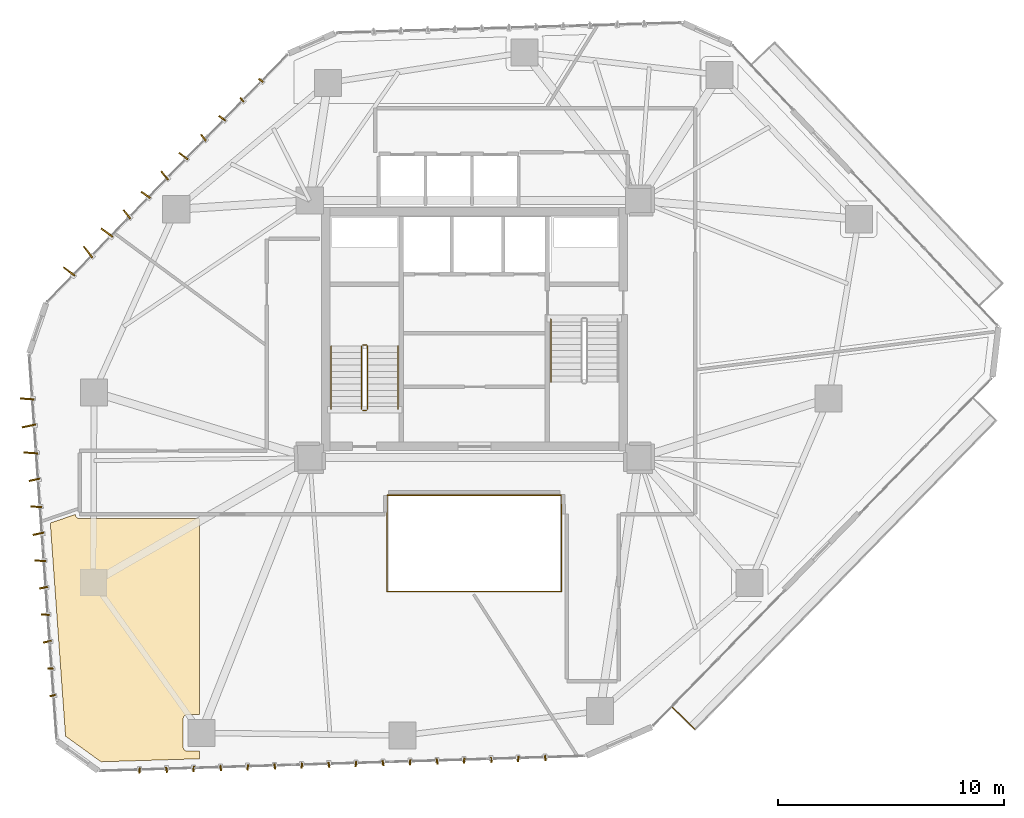
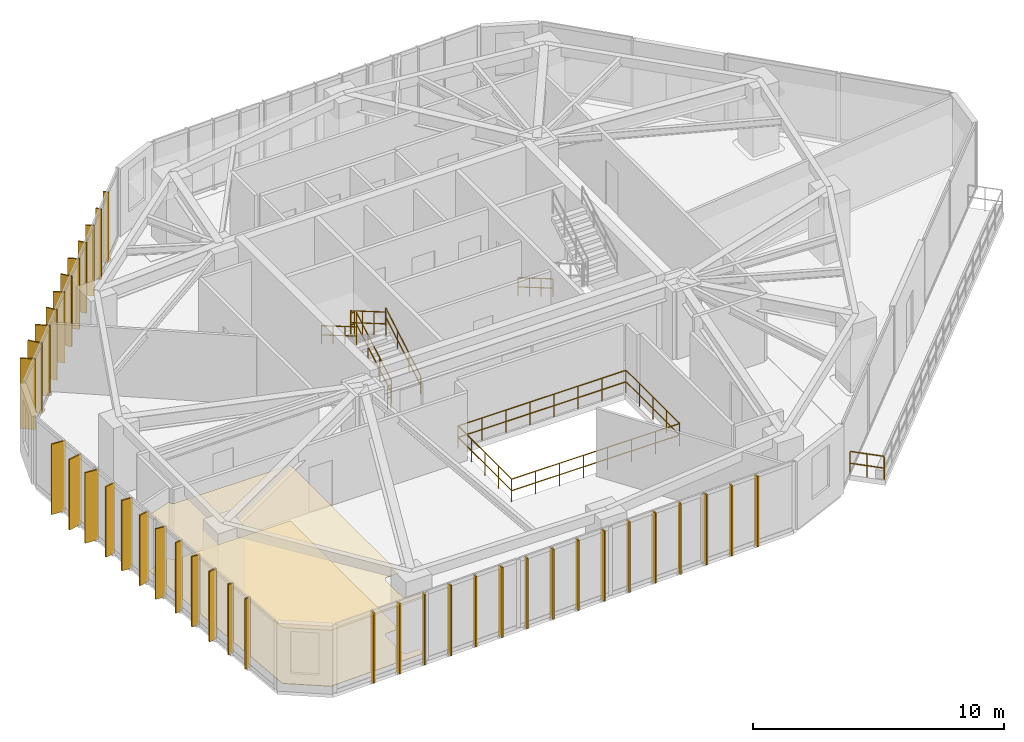
# One storey, part 21 of 23: 39 shading devices, 12 railings, 2 coverings.
"""IFC4 building model written with IfcOpenShell, lengths in metres."""

from ifc_helpers import new_model, si_unit, direction, frame, origin, origin_2d, place, context, subcontext, project, spatial, polyline, rectangle, circle, outline, extrude, source, transform, mapped, material, layer, layer_set, type_object, type_shapes, element, save


model = new_model("IFC4")

# Units and contexts
model_context = context("Model", 3, precision=1e-05, world=origin(), true_north=direction((0.0, 1.0)))
body_context = subcontext(model_context, "Body", "Model", "MODEL_VIEW")
ifc_project = project(units=[si_unit("LENGTHUNIT", "METRE"), si_unit("AREAUNIT", "SQUARE_METRE"), si_unit("VOLUMEUNIT", "CUBIC_METRE"), si_unit("PLANEANGLEUNIT", "RADIAN"), si_unit("MASSUNIT", "GRAM", prefix="KILO")], contexts=[model_context])

# Site, building, storey
site_placement = place(None, origin())
site = spatial("IfcSite", under=ifc_project, at=site_placement, CompositionType="ELEMENT")
building_placement = place(site_placement, origin())
building = spatial("IfcBuilding", under=site, at=building_placement, Name="Talar Marvaseh", CompositionType="ELEMENT")
storey_placement = place(building_placement, frame((0.0, 0.0, 96.60009765625)))
storey = spatial("IfcBuildingStorey", under=building, at=storey_placement, Name="L24", CompositionType="ELEMENT", Elevation=96.60009765625)

# Railings
ifc_material_1 = material(Name="Stainless Steel Grade 316", Category="steel")
railing_type_1 = type_object("IfcRailingType", Name="Brushed Stainless Wall Pitch Handrail 900", PredefinedType="HANDRAIL", material=ifc_material_1)
railing_1_placement = place(storey_placement, frame((22.610107421875, 27.64990234375, 0.16357421875)))
element("IfcRailing", 1, at=railing_1_placement, inside=storey, type_object=railing_type_1, Name="L24 ST-1 stair handrail 1", PredefinedType="HANDRAIL", context=body_context, shape_type="SweptSolid", body=[
    extrude(circle(Radius=0.02392578125, at=origin_2d()), frame((0.0, 0.0, 0.8759765625), z_axis=(0.0, 0.863393664356, 0.504530851732), x_axis=(-1.0, 0.0, 0.0)), (0.0, 0.0, 1.0), 3.2431640625),
    extrude(circle(Radius=0.02392578125, at=origin_2d()), frame((0.0, 0.0, 0.42578125), z_axis=(0.0, 0.863393664356, 0.504530851732), x_axis=(-1.0, 0.0, 0.0)), (0.0, 0.0, 1.0), 3.2431640625),
    extrude(circle(Radius=0.02099609375, at=origin_2d()), origin(), (0.0, 0.0, 1.0), 0.851806640625),
    extrude(circle(Radius=0.02099609375, at=origin_2d()), frame((0.0, 0.933349609375, 0.54541015625)), (0.0, 0.0, 1.0), 0.851806640625),
    extrude(circle(Radius=0.02099609375, at=origin_2d()), frame((0.0, 1.86669921875, 1.0908203125)), (0.0, 0.0, 1.0), 0.851806640625),
    extrude(circle(Radius=0.02099609375, at=origin_2d()), frame((0.0, 2.800048828125, 1.63623046875)), (0.0, 0.0, 1.0), 0.851806640625),
])
railing_2_placement = place(storey_placement, frame((19.64990234375, 30.449951171875, 1.963623046875)))
element("IfcRailing", 2, at=railing_2_placement, inside=storey, type_object=railing_type_1, Name="L24 ST-1 stair handrail 2", PredefinedType="HANDRAIL", context=body_context, shape_type="SweptSolid", body=[
    extrude(circle(Radius=0.02392578125, at=origin_2d()), frame((0.0, 0.0, 0.8759765625), z_axis=(0.0, -0.863393664356, 0.504530851732), x_axis=(1.0, 0.0, 0.0)), (0.0, 0.0, 1.0), 3.2431640625),
    extrude(circle(Radius=0.02392578125, at=origin_2d()), frame((0.0, 0.0, 0.42578125), z_axis=(0.0, -0.863393664356, 0.504530851732), x_axis=(1.0, 0.0, 0.0)), (0.0, 0.0, 1.0), 3.2431640625),
    extrude(circle(Radius=0.02099609375, at=origin_2d()), origin(), (0.0, 0.0, 1.0), 0.851806640625),
    extrude(circle(Radius=0.02099609375, at=origin_2d()), frame((0.0, -0.933349609375, 0.54541015625)), (0.0, 0.0, 1.0), 0.851806640625),
    extrude(circle(Radius=0.02099609375, at=origin_2d()), frame((0.0, -1.86669921875, 1.0908203125)), (0.0, 0.0, 1.0), 0.851806640625),
    extrude(circle(Radius=0.02099609375, at=origin_2d()), frame((0.0, -2.800048828125, 1.63623046875)), (0.0, 0.0, 1.0), 0.851806640625),
])
railing_3_placement = place(storey_placement, frame((29.389892578125, 31.64990234375, 0.16357421875)))
element("IfcRailing", 3, at=railing_3_placement, inside=storey, type_object=railing_type_1, Name="L24 ST-2 stair handrail 1", PredefinedType="HANDRAIL", context=body_context, shape_type="SweptSolid", body=[
    extrude(circle(Radius=0.02392578125, at=origin_2d()), frame((0.0, 0.0, 0.8759765625), z_axis=(0.0, -0.863374499697, 0.504563646405), x_axis=(1.0, 0.0, 0.0)), (0.0, 0.0, 1.0), 3.242919921875),
    extrude(circle(Radius=0.02392578125, at=origin_2d()), frame((0.0, 0.0, 0.42578125), z_axis=(0.0, -0.863374499697, 0.504563646405), x_axis=(1.0, 0.0, 0.0)), (0.0, 0.0, 1.0), 3.242919921875),
    extrude(circle(Radius=0.02099609375, at=origin_2d()), origin(), (0.0, 0.0, 1.0), 0.851806640625),
    extrude(circle(Radius=0.02099609375, at=origin_2d()), frame((0.0, -0.933349609375, 0.54541015625)), (0.0, 0.0, 1.0), 0.851806640625),
    extrude(circle(Radius=0.02099609375, at=origin_2d()), frame((0.0, -1.866455078125, 1.0908203125)), (0.0, 0.0, 1.0), 0.851806640625),
    extrude(circle(Radius=0.02099609375, at=origin_2d()), frame((0.0, -2.7998046875, 1.63623046875)), (0.0, 0.0, 1.0), 0.851806640625),
])
ifc_material_2 = material(Name="Tempered Clear Glass", Category="glass")
railing_type_2 = type_object("IfcRailingType", Name="External Laminated Glass Terrace Balustrade 1150", PredefinedType="BALUSTRADE", material=ifc_material_2)
railing_4_placement = place(storey_placement, frame((35.775390625, 13.464111328125, 0.0)))
element("IfcRailing", 4, at=railing_4_placement, inside=storey, type_object=railing_type_2, Name="L24 External Terrace Balustrade 2 3", PredefinedType="BALUSTRADE", context=body_context, shape_type="SweptSolid", body=[
    extrude(circle(Radius=0.02392578125, at=origin_2d()), frame((0.0, 0.0, 1.1259765625), z_axis=(-0.71622293166, 0.697871558501, 0.0), x_axis=(-0.697871558501, -0.71622293166, 0.0)), (0.0, 0.0, 1.0), 1.41015625),
    extrude(circle(Radius=0.02392578125, at=origin_2d()), frame((0.0, 0.0, 0.55078125), z_axis=(-0.71622293166, 0.697871558501, 0.0), x_axis=(-0.697871558501, -0.71622293166, 0.0)), (0.0, 0.0, 1.0), 1.41015625),
    extrude(circle(Radius=0.02099609375, at=origin_2d()), origin(), (0.0, 0.0, 1.0), 1.101806640625),
    extrude(circle(Radius=0.02099609375, at=origin_2d()), frame((-0.5048828125, 0.4921875, 0.0)), (0.0, 0.0, 1.0), 1.101806640625),
    extrude(circle(Radius=0.02099609375, at=origin_2d()), frame((-1.010009765625, 0.984130859375, 0.0)), (0.0, 0.0, 1.0), 1.101806640625),
])
railing_type_3 = type_object("IfcRailingType", Name="Interior Atrium Edge Balustrade 1120", PredefinedType="BALUSTRADE", material=ifc_material_2)
railing_5_placement = place(storey_placement, frame((22.1298828125, 19.561279296875, 0.0)))
element("IfcRailing", 5, at=railing_5_placement, inside=storey, type_object=railing_type_3, Name="L24 Internal Daylight Atrium Balustrade 1", PredefinedType="BALUSTRADE", context=body_context, shape_type="SweptSolid", body=[
    extrude(circle(Radius=0.02392578125, at=origin_2d()), frame((0.0, 0.0, 1.09619140625), z_axis=(1.0, 0.0, 0.0), x_axis=(0.0, 1.0, 0.0)), (0.0, 0.0, 1.0), 7.740234375),
    extrude(circle(Radius=0.02392578125, at=origin_2d()), frame((0.0, 0.0, 0.5361328125), z_axis=(1.0, 0.0, 0.0), x_axis=(0.0, 1.0, 0.0)), (0.0, 0.0, 1.0), 7.740234375),
    extrude(circle(Radius=0.02099609375, at=origin_2d()), origin(), (0.0, 0.0, 1.0), 1.072021484375),
    extrude(circle(Radius=0.02099609375, at=origin_2d()), frame((1.105712890625, 0.0, 0.0)), (0.0, 0.0, 1.0), 1.072021484375),
    extrude(circle(Radius=0.02099609375, at=origin_2d()), frame((2.21142578125, 0.0, 0.0)), (0.0, 0.0, 1.0), 1.072021484375),
    extrude(circle(Radius=0.02099609375, at=origin_2d()), frame((3.317138671875, 0.0, 0.0)), (0.0, 0.0, 1.0), 1.072021484375),
    extrude(circle(Radius=0.02099609375, at=origin_2d()), frame((4.423095703125, 0.0, 0.0)), (0.0, 0.0, 1.0), 1.072021484375),
    extrude(circle(Radius=0.02099609375, at=origin_2d()), frame((5.52880859375, 0.0, 0.0)), (0.0, 0.0, 1.0), 1.072021484375),
    extrude(circle(Radius=0.02099609375, at=origin_2d()), frame((6.634521484375, 0.0, 0.0)), (0.0, 0.0, 1.0), 1.072021484375),
    extrude(circle(Radius=0.02099609375, at=origin_2d()), frame((7.740234375, 0.0, 0.0)), (0.0, 0.0, 1.0), 1.072021484375),
])
railing_6_placement = place(storey_placement, frame((29.8701171875, 19.561279296875, 0.0)))
element("IfcRailing", 6, at=railing_6_placement, inside=storey, type_object=railing_type_3, Name="L24 Internal Daylight Atrium Balustrade 2", PredefinedType="BALUSTRADE", context=body_context, shape_type="SweptSolid", body=[
    extrude(circle(Radius=0.02392578125, at=origin_2d()), frame((0.0, 0.0, 1.09619140625), z_axis=(0.0, 1.0, 0.0), x_axis=(-1.0, 0.0, 0.0)), (0.0, 0.0, 1.0), 4.27734375),
    extrude(circle(Radius=0.02392578125, at=origin_2d()), frame((0.0, 0.0, 0.5361328125), z_axis=(0.0, 1.0, 0.0), x_axis=(-1.0, 0.0, 0.0)), (0.0, 0.0, 1.0), 4.27734375),
    extrude(circle(Radius=0.02099609375, at=origin_2d()), origin(), (0.0, 0.0, 1.0), 1.072021484375),
    extrude(circle(Radius=0.02099609375, at=origin_2d()), frame((0.0, 1.0693359375, 0.0)), (0.0, 0.0, 1.0), 1.072021484375),
    extrude(circle(Radius=0.02099609375, at=origin_2d()), frame((0.0, 2.138671875, 0.0)), (0.0, 0.0, 1.0), 1.072021484375),
    extrude(circle(Radius=0.02099609375, at=origin_2d()), frame((0.0, 3.2080078125, 0.0)), (0.0, 0.0, 1.0), 1.072021484375),
    extrude(circle(Radius=0.02099609375, at=origin_2d()), frame((0.0, 4.27734375, 0.0)), (0.0, 0.0, 1.0), 1.072021484375),
])
railing_7_placement = place(storey_placement, frame((29.8701171875, 23.838623046875, 0.0)))
element("IfcRailing", 7, at=railing_7_placement, inside=storey, type_object=railing_type_3, Name="L24 Internal Daylight Atrium Balustrade 3", PredefinedType="BALUSTRADE", context=body_context, shape_type="SweptSolid", body=[
    extrude(circle(Radius=0.02392578125, at=origin_2d()), frame((0.0, 0.0, 1.09619140625), z_axis=(-1.0, 0.0, 0.0), x_axis=(0.0, -1.0, 0.0)), (0.0, 0.0, 1.0), 7.740234375),
    extrude(circle(Radius=0.02392578125, at=origin_2d()), frame((0.0, 0.0, 0.5361328125), z_axis=(-1.0, 0.0, 0.0), x_axis=(0.0, -1.0, 0.0)), (0.0, 0.0, 1.0), 7.740234375),
    extrude(circle(Radius=0.02099609375, at=origin_2d()), origin(), (0.0, 0.0, 1.0), 1.072021484375),
    extrude(circle(Radius=0.02099609375, at=origin_2d()), frame((-1.105712890625, 0.0, 0.0)), (0.0, 0.0, 1.0), 1.072021484375),
    extrude(circle(Radius=0.02099609375, at=origin_2d()), frame((-2.21142578125, 0.0, 0.0)), (0.0, 0.0, 1.0), 1.072021484375),
    extrude(circle(Radius=0.02099609375, at=origin_2d()), frame((-3.317138671875, 0.0, 0.0)), (0.0, 0.0, 1.0), 1.072021484375),
    extrude(circle(Radius=0.02099609375, at=origin_2d()), frame((-4.423095703125, 0.0, 0.0)), (0.0, 0.0, 1.0), 1.072021484375),
    extrude(circle(Radius=0.02099609375, at=origin_2d()), frame((-5.52880859375, 0.0, 0.0)), (0.0, 0.0, 1.0), 1.072021484375),
    extrude(circle(Radius=0.02099609375, at=origin_2d()), frame((-6.634521484375, 0.0, 0.0)), (0.0, 0.0, 1.0), 1.072021484375),
    extrude(circle(Radius=0.02099609375, at=origin_2d()), frame((-7.740234375, 0.0, 0.0)), (0.0, 0.0, 1.0), 1.072021484375),
])
railing_8_placement = place(storey_placement, frame((22.1298828125, 23.838623046875, 0.0)))
element("IfcRailing", 8, at=railing_8_placement, inside=storey, type_object=railing_type_3, Name="L24 Internal Daylight Atrium Balustrade 4", PredefinedType="BALUSTRADE", context=body_context, shape_type="SweptSolid", body=[
    extrude(circle(Radius=0.02392578125, at=origin_2d()), frame((0.0, 0.0, 1.09619140625), z_axis=(0.0, -1.0, 0.0), x_axis=(1.0, 0.0, 0.0)), (0.0, 0.0, 1.0), 4.27734375),
    extrude(circle(Radius=0.02392578125, at=origin_2d()), frame((0.0, 0.0, 0.5361328125), z_axis=(0.0, -1.0, 0.0), x_axis=(1.0, 0.0, 0.0)), (0.0, 0.0, 1.0), 4.27734375),
    extrude(circle(Radius=0.02099609375, at=origin_2d()), origin(), (0.0, 0.0, 1.0), 1.072021484375),
    extrude(circle(Radius=0.02099609375, at=origin_2d()), frame((0.0, -1.0693359375, 0.0)), (0.0, 0.0, 1.0), 1.072021484375),
    extrude(circle(Radius=0.02099609375, at=origin_2d()), frame((0.0, -2.138671875, 0.0)), (0.0, 0.0, 1.0), 1.072021484375),
    extrude(circle(Radius=0.02099609375, at=origin_2d()), frame((0.0, -3.2080078125, 0.0)), (0.0, 0.0, 1.0), 1.072021484375),
    extrude(circle(Radius=0.02099609375, at=origin_2d()), frame((0.0, -4.27734375, 0.0)), (0.0, 0.0, 1.0), 1.072021484375),
])
railing_type_4 = type_object("IfcRailingType", Name="Painted Steel Core Stair Well Guardrail 1150", PredefinedType="GUARDRAIL", material=ifc_material_1)
railing_9_placement = place(storey_placement, frame((21.260009765625, 27.64990234375, 0.16357421875)))
element("IfcRailing", 9, at=railing_9_placement, inside=storey, type_object=railing_type_4, Name="L24 ST-1 stair guard 1", PredefinedType="GUARDRAIL", context=body_context, shape_type="SweptSolid", body=[
    extrude(circle(Radius=0.02392578125, at=origin_2d()), frame((0.0, 0.0, 1.1259765625), z_axis=(0.0, 0.863393664356, 0.504530851732), x_axis=(-1.0, 0.0, 0.0)), (0.0, 0.0, 1.0), 3.2431640625),
    extrude(circle(Radius=0.02392578125, at=origin_2d()), frame((0.0, 0.0, 0.55078125), z_axis=(0.0, 0.863393664356, 0.504530851732), x_axis=(-1.0, 0.0, 0.0)), (0.0, 0.0, 1.0), 3.2431640625),
    extrude(circle(Radius=0.02099609375, at=origin_2d()), origin(), (0.0, 0.0, 1.0), 1.101806640625),
    extrude(circle(Radius=0.02099609375, at=origin_2d()), frame((0.0, 0.933349609375, 0.54541015625)), (0.0, 0.0, 1.0), 1.101806640625),
    extrude(circle(Radius=0.02099609375, at=origin_2d()), frame((0.0, 1.86669921875, 1.0908203125)), (0.0, 0.0, 1.0), 1.101806640625),
    extrude(circle(Radius=0.02099609375, at=origin_2d()), frame((0.0, 2.800048828125, 1.63623046875)), (0.0, 0.0, 1.0), 1.101806640625),
])
railing_10_placement = place(storey_placement, frame((21.2099609375, 30.5, 1.7998046875)))
element("IfcRailing", 10, at=railing_10_placement, inside=storey, type_object=railing_type_4, Name="L24 ST-1 stair guard 2", PredefinedType="GUARDRAIL", context=body_context, shape_type="SweptSolid", body=[
    extrude(circle(Radius=0.02392578125, at=origin_2d()), frame((0.0, 0.0, 1.1259765625), z_axis=(-1.0, 0.0, 0.0), x_axis=(0.0, -1.0, 0.0)), (0.0, 0.0, 1.0), 0.159912109375),
    extrude(circle(Radius=0.02392578125, at=origin_2d()), frame((0.0, 0.0, 0.55078125), z_axis=(-1.0, 0.0, 0.0), x_axis=(0.0, -1.0, 0.0)), (0.0, 0.0, 1.0), 0.159912109375),
    extrude(circle(Radius=0.02099609375, at=origin_2d()), origin(), (0.0, 0.0, 1.0), 1.101806640625),
    extrude(circle(Radius=0.02099609375, at=origin_2d()), frame((-0.159912109375, 0.0, 0.0)), (0.0, 0.0, 1.0), 1.101806640625),
])
railing_11_placement = place(storey_placement, frame((21.0, 30.449951171875, 1.963623046875)))
element("IfcRailing", 11, at=railing_11_placement, inside=storey, type_object=railing_type_4, Name="L24 ST-1 stair guard 3", PredefinedType="GUARDRAIL", context=body_context, shape_type="SweptSolid", body=[
    extrude(circle(Radius=0.02392578125, at=origin_2d()), frame((0.0, 0.0, 1.1259765625), z_axis=(0.0, -0.863393664356, 0.504530851732), x_axis=(1.0, 0.0, 0.0)), (0.0, 0.0, 1.0), 3.2431640625),
    extrude(circle(Radius=0.02392578125, at=origin_2d()), frame((0.0, 0.0, 0.55078125), z_axis=(0.0, -0.863393664356, 0.504530851732), x_axis=(1.0, 0.0, 0.0)), (0.0, 0.0, 1.0), 3.2431640625),
    extrude(circle(Radius=0.02099609375, at=origin_2d()), origin(), (0.0, 0.0, 1.0), 1.101806640625),
    extrude(circle(Radius=0.02099609375, at=origin_2d()), frame((0.0, -0.933349609375, 0.54541015625)), (0.0, 0.0, 1.0), 1.101806640625),
    extrude(circle(Radius=0.02099609375, at=origin_2d()), frame((0.0, -1.86669921875, 1.0908203125)), (0.0, 0.0, 1.0), 1.101806640625),
    extrude(circle(Radius=0.02099609375, at=origin_2d()), frame((0.0, -2.800048828125, 1.63623046875)), (0.0, 0.0, 1.0), 1.101806640625),
])
railing_12_placement = place(storey_placement, frame((21.2099609375, 27.60009765625, 0.0)))
element("IfcRailing", 12, at=railing_12_placement, inside=storey, type_object=railing_type_4, Name="L24 ST-1 stair guard 4", PredefinedType="GUARDRAIL", context=body_context, shape_type="SweptSolid", body=[
    extrude(circle(Radius=0.02392578125, at=origin_2d()), frame((0.0, 0.0, 1.1259765625), z_axis=(-1.0, 0.0, 0.0), x_axis=(0.0, -1.0, 0.0)), (0.0, 0.0, 1.0), 0.159912109375),
    extrude(circle(Radius=0.02392578125, at=origin_2d()), frame((0.0, 0.0, 0.55078125), z_axis=(-1.0, 0.0, 0.0), x_axis=(0.0, -1.0, 0.0)), (0.0, 0.0, 1.0), 0.159912109375),
    extrude(circle(Radius=0.02099609375, at=origin_2d()), origin(), (0.0, 0.0, 1.0), 1.101806640625),
    extrude(circle(Radius=0.02099609375, at=origin_2d()), frame((-0.159912109375, 0.0, 0.0)), (0.0, 0.0, 1.0), 1.101806640625),
])

# Coverings
ifc_material_3 = material(Name="Mineral Fibre Acoustic Ceiling")
ifc_layer_1 = layer(ifc_material_3, 0.02490234375)
ifc_layer_set_1 = layer_set([ifc_layer_1], Name="Mineral Fibre Acoustic Ceiling")
covering_type_1 = type_object("IfcCoveringType", Name="Perforated Mineral Fibre Acoustic Suspended Ceiling", PredefinedType="CEILING", material=ifc_layer_set_1)
covering_1_placement = place(storey_placement, frame((0.0, 0.0, 2.719970703125)))
element("IfcCovering", 13, at=covering_1_placement, inside=storey, type_object=covering_type_1, Name="L24 Exhibition Gallery Acoustic Ceiling", PredefinedType="CEILING", context=body_context, shape_type="SweptSolid", body=[
    extrude(outline(polyline([(8.3037109375, 22.9609375), (8.30859375, 22.94189453125), (8.315185546875, 22.923583984375), (8.323486328125, 22.90576171875), (8.333740234375, 22.888916015625), (8.345458984375, 22.873046875), (8.358642578125, 22.858642578125), (8.373046875, 22.845458984375), (8.388916015625, 22.833740234375), (8.40576171875, 22.823486328125), (8.423583984375, 22.815185546875), (8.44189453125, 22.80859375), (8.4609375, 22.8037109375), (8.48046875, 22.801025390625), (8.5, 22.800048828125), (13.800048828125, 22.800048828125), (13.800048828125, 14.111572265625), (13.27978515625, 14.109619140625), (13.260009765625, 14.108642578125), (13.24072265625, 14.105712890625), (13.2216796875, 14.100830078125), (13.203369140625, 14.09423828125), (13.185791015625, 14.085693359375), (13.1689453125, 14.07568359375), (13.1533203125, 14.06396484375), (13.138671875, 14.05078125), (13.12548828125, 14.0361328125), (13.114013671875, 14.0205078125), (13.10400390625, 14.003662109375), (13.095703125, 13.986083984375), (13.089111328125, 13.967529296875), (13.084228515625, 13.948486328125), (13.081298828125, 13.92919921875), (13.080322265625, 13.90966796875), (13.080322265625, 12.6884765625), (13.081298828125, 12.668701171875), (13.084228515625, 12.6494140625), (13.089111328125, 12.63037109375), (13.095703125, 12.61181640625), (13.10400390625, 12.593994140625), (13.114013671875, 12.577392578125), (13.125732421875, 12.5615234375), (13.138916015625, 12.547119140625), (13.153564453125, 12.53369140625), (13.169189453125, 12.522216796875), (13.18603515625, 12.511962890625), (13.203857421875, 12.503662109375), (13.222412109375, 12.4970703125), (13.241455078125, 12.4921875), (13.2607421875, 12.489501953125), (13.280517578125, 12.48828125), (13.800048828125, 12.48828125), (13.800048828125, 12.151611328125), (9.445556640625, 12.01806640625), (7.870849609375, 13.154541015625), (7.194091796875, 22.603515625), (8.30078125, 22.984619140625), (8.301025390625, 22.98046875), (8.3037109375, 22.9609375)])), origin(), (0.0, 0.0, 1.0), 0.02490234375),
])
ifc_material_4 = material(Name="Porcelain Stoneware Tile", Category="masonry")
ifc_layer_2 = layer(ifc_material_4, 0.02001953125)
ifc_layer_set_2 = layer_set([ifc_layer_2], Name="Porcelain Stoneware Tile")
covering_type_2 = type_object("IfcCoveringType", Name="Polished Porcelain Stoneware Gallery Flooring", PredefinedType="FLOORING", material=ifc_layer_set_2)
covering_2_placement = place(storey_placement, origin())
element("IfcCovering", 14, at=covering_2_placement, inside=storey, type_object=covering_type_2, Name="L24 Exhibition Gallery Flooring", PredefinedType="FLOORING", context=body_context, shape_type="SweptSolid", body=[
    extrude(outline(polyline([(8.3037109375, 22.9609375), (8.30859375, 22.94189453125), (8.315185546875, 22.923583984375), (8.323486328125, 22.90576171875), (8.333740234375, 22.888916015625), (8.345458984375, 22.873046875), (8.358642578125, 22.858642578125), (8.373046875, 22.845458984375), (8.388916015625, 22.833740234375), (8.40576171875, 22.823486328125), (8.423583984375, 22.815185546875), (8.44189453125, 22.80859375), (8.4609375, 22.8037109375), (8.48046875, 22.801025390625), (8.5, 22.800048828125), (13.800048828125, 22.800048828125), (13.800048828125, 14.111572265625), (13.27978515625, 14.109619140625), (13.260009765625, 14.108642578125), (13.24072265625, 14.105712890625), (13.2216796875, 14.100830078125), (13.203369140625, 14.09423828125), (13.185791015625, 14.085693359375), (13.1689453125, 14.07568359375), (13.1533203125, 14.06396484375), (13.138671875, 14.05078125), (13.12548828125, 14.0361328125), (13.114013671875, 14.0205078125), (13.10400390625, 14.003662109375), (13.095703125, 13.986083984375), (13.089111328125, 13.967529296875), (13.084228515625, 13.948486328125), (13.081298828125, 13.92919921875), (13.080322265625, 13.90966796875), (13.080322265625, 12.6884765625), (13.081298828125, 12.668701171875), (13.084228515625, 12.6494140625), (13.089111328125, 12.63037109375), (13.095703125, 12.61181640625), (13.10400390625, 12.593994140625), (13.114013671875, 12.577392578125), (13.125732421875, 12.5615234375), (13.138916015625, 12.547119140625), (13.153564453125, 12.53369140625), (13.169189453125, 12.522216796875), (13.18603515625, 12.511962890625), (13.203857421875, 12.503662109375), (13.222412109375, 12.4970703125), (13.241455078125, 12.4921875), (13.2607421875, 12.489501953125), (13.280517578125, 12.48828125), (13.800048828125, 12.48828125), (13.800048828125, 12.151611328125), (9.445556640625, 12.01806640625), (7.870849609375, 13.154541015625), (7.194091796875, 22.603515625), (8.30078125, 22.984619140625), (8.301025390625, 22.98046875), (8.3037109375, 22.9609375)])), origin(), (0.0, 0.0, 1.0), 0.02001953125),
])

# Shading devices
ifc_material_5 = material(Name="Anodised Champagne Bronze Aluminium", Category="aluminium")
ifc_layer_3 = layer(ifc_material_5, 0.06494140625)
ifc_layer_set_3 = layer_set([ifc_layer_3], Name="Anodised Champagne Bronze Aluminium")
shading_device_type_1 = type_object("IfcShadingDeviceType", Name="Sawtooth Champagne Bronze Vertical Fin 240", PredefinedType="USERDEFINED", material=ifc_layer_set_3)
shared_shape_1 = source(origin(), body_context, "Body", "SweptSolid", [
    extrude(rectangle(XDim=0.239990234375, YDim=0.06494140625, at=origin_2d()), origin(), (0.0, 0.0, 1.0), 3.429931640625),
])
type_shapes(shading_device_type_1, [shared_shape_1])
for number, where, z_axis, x_axis, name in (
    (15, (7.2958984375, 14.955078125, -0.1201171875), (0.0, 0.0, 1.0), (-0.977783236759, -0.209618562904, 0.0), "L24 Sawtooth Vertical Solar Fin"),
    (16, (7.210205078125, 16.152099609375, -0.1201171875), (0.0, 0.0, 1.0), (-0.997684278836, 0.068015290665, 0.0), "L24 Sawtooth Vertical Solar Fin"),
    (17, (15.69580078125, 41.37158203125, -0.1201171875), (0.0, 0.0, 1.0), (-0.613182832438, 0.789941019319, 0.0), "L24 Sawtooth Vertical Solar Fin"),
    (18, (16.531982421875, 42.232177734375, -0.1201171875), (0.0, 0.0, 1.0), (-0.807166423246, 0.590323949356, 0.0), "L24 Sawtooth Vertical Solar Fin"),
    (19, (29.14306640625, 12.177490234375, -0.1201171875), (0.0, 0.0, 1.0), (0.169521513251, -0.985526486983, 0.0), "L24 Sawtooth Vertical Solar Fin"),
    (20, (27.943603515625, 12.140869140625, -0.1201171875), (0.0, 0.0, 1.0), (-0.108693377634, -0.994075323936, 0.0), "L24 Sawtooth Vertical Solar Fin"),
    (21, (26.744140625, 12.10400390625, -0.1201171875), (0.0, 0.0, 1.0), (0.169521513251, -0.985526486983, 0.0), "L24 Sawtooth Vertical Solar Fin"),
    (22, (25.544921875, 12.067138671875, -0.1201171875), (0.0, 0.0, 1.0), (-0.108693377634, -0.994075323936, 0.0), "L24 Sawtooth Vertical Solar Fin"),
    (23, (24.34521484375, 12.0302734375, -0.1201171875), (0.0, 0.0, 1.0), (0.169521513251, -0.985526486983, 0.0), "L24 Sawtooth Vertical Solar Fin"),
    (24, (23.14599609375, 11.993408203125, -0.1201171875), (0.0, 0.0, 1.0), (-0.108693377634, -0.994075323936, 0.0), "L24 Sawtooth Vertical Solar Fin"),
    (25, (21.946533203125, 11.95654296875, -0.1201171875), (0.0, 0.0, 1.0), (0.169521513251, -0.985526486983, 0.0), "L24 Sawtooth Vertical Solar Fin"),
    (26, (20.7470703125, 11.919921875, -0.1201171875), (0.0, 0.0, 1.0), (-0.108693377634, -0.994075323936, 0.0), "L24 Sawtooth Vertical Solar Fin"),
    (27, (19.547607421875, 11.883056640625, -0.1201171875), (0.0, 0.0, 1.0), (0.169521513251, -0.985526486983, 0.0), "L24 Sawtooth Vertical Solar Fin"),
    (28, (18.34814453125, 11.84619140625, -0.1201171875), (0.0, 0.0, 1.0), (-0.108693377634, -0.994075323936, 0.0), "L24 Sawtooth Vertical Solar Fin"),
    (29, (17.148681640625, 11.809326171875, -0.1201171875), (0.0, 0.0, 1.0), (0.169521513251, -0.985526486983, 0.0), "L24 Sawtooth Vertical Solar Fin"),
    (30, (15.94921875, 11.7724609375, -0.1201171875), (0.0, 0.0, 1.0), (-0.108693377634, -0.994075323936, 0.0), "L24 Sawtooth Vertical Solar Fin"),
    (31, (14.75, 11.735595703125, -0.1201171875), (0.0, 0.0, 1.0), (0.169521513251, -0.985526486983, 0.0), "L24 Sawtooth Vertical Solar Fin"),
    (32, (13.55029296875, 11.69873046875, -0.1201171875), (0.0, 0.0, 1.0), (-0.108693377634, -0.994075323936, 0.0), "L24 Sawtooth Vertical Solar Fin"),
    (33, (12.35107421875, 11.662109375, -0.1201171875), (0.0, 0.0, 1.0), (0.169521513251, -0.985526486983, 0.0), "L24 Sawtooth Vertical Solar Fin"),
    (34, (11.151611328125, 11.625244140625, -0.1201171875), (0.0, 0.0, 1.0), (-0.108693377634, -0.994075323936, 0.0), "L24 Sawtooth Vertical Solar Fin"),
):
    element("IfcShadingDevice", number, at=place(storey_placement, frame(where, z_axis=z_axis, x_axis=x_axis)), inside=storey, type_object=shading_device_type_1, Name=name, ObjectType="FIN", PredefinedType="USERDEFINED", context=body_context, shape_type="MappedRepresentation", body=[
        mapped(shared_shape_1, transform((0.0, 0.0, 0.0), x_axis=(1.0, 0.0, 0.0), y_axis=(0.0, 1.0, 0.0), z_axis=(0.0, 0.0, 1.0), scale=1.0)),
    ])
ifc_layer_4 = layer(ifc_material_5, 0.06494140625)
ifc_layer_set_4 = layer_set([ifc_layer_4], Name="Anodised Champagne Bronze Aluminium")
shading_device_type_2 = type_object("IfcShadingDeviceType", Name="Sawtooth Champagne Bronze Vertical Fin 360", PredefinedType="USERDEFINED", material=ifc_layer_set_4)
shared_shape_2 = source(origin(), body_context, "Body", "SweptSolid", [
    extrude(rectangle(XDim=0.360107421875, YDim=0.06494140625, at=origin_2d()), origin(), (0.0, 0.0, 1.0), 3.429931640625),
])
type_shapes(shading_device_type_2, [shared_shape_2])
for number, where, z_axis, x_axis, name in (
    (35, (7.064453125, 17.3447265625, -0.1201171875), (0.0, 0.0, 1.0), (-0.977783236759, -0.209618562904, 0.0), "L24 Sawtooth Vertical Solar Fin"),
    (36, (6.978759765625, 18.54150390625, -0.1201171875), (0.0, 0.0, 1.0), (-0.997684278836, 0.068015290665, 0.0), "L24 Sawtooth Vertical Solar Fin"),
    (37, (6.89306640625, 19.738525390625, -0.1201171875), (0.0, 0.0, 1.0), (-0.977783236759, -0.209618562904, 0.0), "L24 Sawtooth Vertical Solar Fin"),
    (38, (13.97998046875, 39.692138671875, -0.1201171875), (0.0, 0.0, 1.0), (-0.613182832438, 0.789941019319, 0.0), "L24 Sawtooth Vertical Solar Fin"),
    (39, (14.81640625, 40.552734375, -0.1201171875), (0.0, 0.0, 1.0), (-0.807166423246, 0.590323949356, 0.0), "L24 Sawtooth Vertical Solar Fin"),
):
    element("IfcShadingDevice", number, at=place(storey_placement, frame(where, z_axis=z_axis, x_axis=x_axis)), inside=storey, type_object=shading_device_type_2, Name=name, ObjectType="FIN", PredefinedType="USERDEFINED", context=body_context, shape_type="MappedRepresentation", body=[
        mapped(shared_shape_2, transform((0.0, 0.0, 0.0), x_axis=(1.0, 0.0, 0.0), y_axis=(0.0, 1.0, 0.0), z_axis=(0.0, 0.0, 1.0), scale=1.0)),
    ])
ifc_layer_5 = layer(ifc_material_5, 0.06494140625)
ifc_layer_set_5 = layer_set([ifc_layer_5], Name="Anodised Champagne Bronze Aluminium")
shading_device_type_3 = type_object("IfcShadingDeviceType", Name="Sawtooth Champagne Bronze Vertical Fin 480", PredefinedType="USERDEFINED", material=ifc_layer_set_5)
shared_shape_3 = source(origin(), body_context, "Body", "SweptSolid", [
    extrude(rectangle(XDim=0.47998046875, YDim=0.06494140625, at=origin_2d()), origin(), (0.0, 0.0, 1.0), 3.429931640625),
])
type_shapes(shading_device_type_3, [shared_shape_3])
for number, where, z_axis, x_axis, name in (
    (40, (6.74755859375, 20.93115234375, -0.1201171875), (0.0, 0.0, 1.0), (-0.997684278836, 0.068015290665, 0.0), "L24 Sawtooth Vertical Solar Fin"),
    (41, (6.661865234375, 22.128173828125, -0.1201171875), (0.0, 0.0, 1.0), (-0.977783236759, -0.209618562904, 0.0), "L24 Sawtooth Vertical Solar Fin"),
    (42, (6.576171875, 23.3251953125, -0.1201171875), (0.0, 0.0, 1.0), (-0.997684278836, 0.068015290665, 0.0), "L24 Sawtooth Vertical Solar Fin"),
    (43, (6.490478515625, 24.52197265625, -0.1201171875), (0.0, 0.0, 1.0), (-0.977783236759, -0.209618562904, 0.0), "L24 Sawtooth Vertical Solar Fin"),
    (44, (10.591552734375, 36.2919921875, -0.1201171875), (0.0, 0.0, 1.0), (-0.613182832438, 0.789941019319, 0.0), "L24 Sawtooth Vertical Solar Fin"),
    (45, (11.427978515625, 37.15234375, -0.1201171875), (0.0, 0.0, 1.0), (-0.807166423246, 0.590323949356, 0.0), "L24 Sawtooth Vertical Solar Fin"),
    (46, (12.264404296875, 38.012939453125, -0.1201171875), (0.0, 0.0, 1.0), (-0.613182832438, 0.789941019319, 0.0), "L24 Sawtooth Vertical Solar Fin"),
    (47, (13.1005859375, 38.87353515625, -0.1201171875), (0.0, 0.0, 1.0), (-0.807166423246, 0.590323949356, 0.0), "L24 Sawtooth Vertical Solar Fin"),
):
    element("IfcShadingDevice", number, at=place(storey_placement, frame(where, z_axis=z_axis, x_axis=x_axis)), inside=storey, type_object=shading_device_type_3, Name=name, ObjectType="FIN", PredefinedType="USERDEFINED", context=body_context, shape_type="MappedRepresentation", body=[
        mapped(shared_shape_3, transform((0.0, 0.0, 0.0), x_axis=(1.0, 0.0, 0.0), y_axis=(0.0, 1.0, 0.0), z_axis=(0.0, 0.0, 1.0), scale=1.0)),
    ])
ifc_layer_6 = layer(ifc_material_5, 0.06494140625)
ifc_layer_set_6 = layer_set([ifc_layer_6], Name="Anodised Champagne Bronze Aluminium")
shading_device_type_4 = type_object("IfcShadingDeviceType", Name="Sawtooth Champagne Bronze Vertical Fin 620", PredefinedType="USERDEFINED", material=ifc_layer_set_6)
shared_shape_4 = source(origin(), body_context, "Body", "SweptSolid", [
    extrude(rectangle(XDim=0.6201171875, YDim=0.06494140625, at=origin_2d()), origin(), (0.0, 0.0, 1.0), 3.429931640625),
])
type_shapes(shading_device_type_4, [shared_shape_4])
for number, where, z_axis, x_axis, name in (
    (48, (6.334716796875, 25.7138671875, -0.1201171875), (0.0, 0.0, 1.0), (-0.997684278836, 0.068015290665, 0.0), "L24 Sawtooth Vertical Solar Fin"),
    (49, (6.2490234375, 26.910888671875, -0.1201171875), (0.0, 0.0, 1.0), (-0.977783236759, -0.209618562904, 0.0), "L24 Sawtooth Vertical Solar Fin"),
    (50, (6.163330078125, 28.10791015625, -0.1201171875), (0.0, 0.0, 1.0), (-0.997684278836, 0.068015290665, 0.0), "L24 Sawtooth Vertical Solar Fin"),
    (51, (8.032470703125, 33.759033203125, -0.1201171875), (0.0, 0.0, 1.0), (-0.807166423246, 0.590323949356, 0.0), "L24 Sawtooth Vertical Solar Fin"),
    (52, (8.868896484375, 34.619384765625, -0.1201171875), (0.0, 0.0, 1.0), (-0.613182832438, 0.789941019319, 0.0), "L24 Sawtooth Vertical Solar Fin"),
    (53, (9.705078125, 35.47998046875, -0.1201171875), (0.0, 0.0, 1.0), (-0.807166423246, 0.590323949356, 0.0), "L24 Sawtooth Vertical Solar Fin"),
):
    element("IfcShadingDevice", number, at=place(storey_placement, frame(where, z_axis=z_axis, x_axis=x_axis)), inside=storey, type_object=shading_device_type_4, Name=name, ObjectType="FIN", PredefinedType="USERDEFINED", context=body_context, shape_type="MappedRepresentation", body=[
        mapped(shared_shape_4, transform((0.0, 0.0, 0.0), x_axis=(1.0, 0.0, 0.0), y_axis=(0.0, 1.0, 0.0), z_axis=(0.0, 0.0, 1.0), scale=1.0)),
    ])

save(model, "model.ifc")
